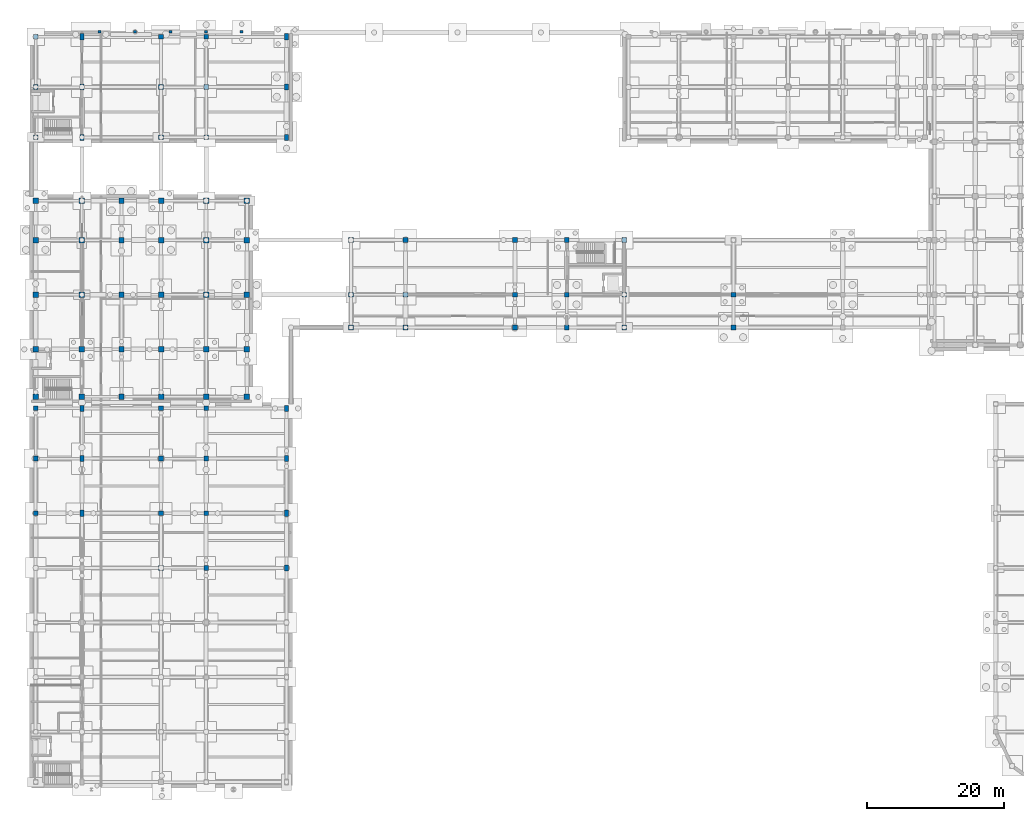
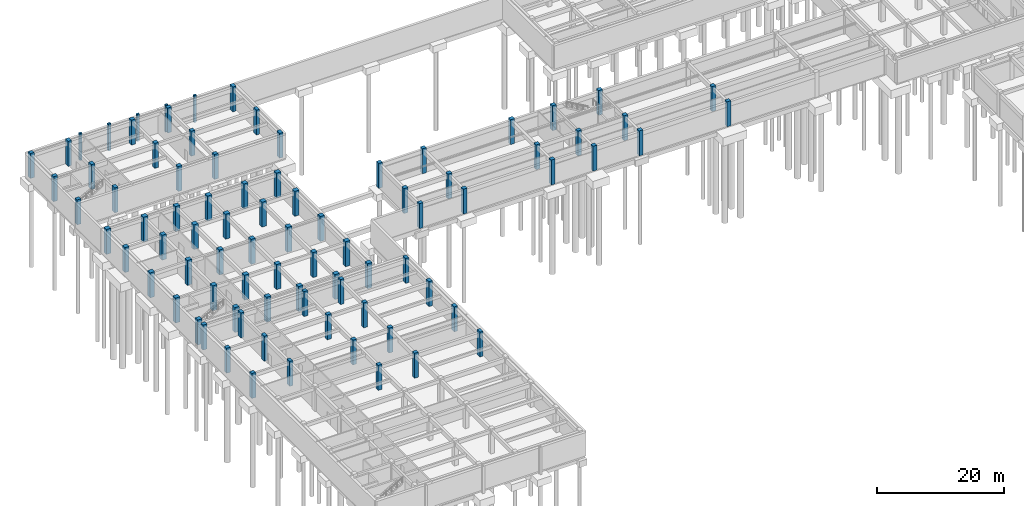
# One storey, part 14 of 35: 85 columns.
"""IFC4 building model written with IfcOpenShell, lengths in metres."""

from ifc_helpers import new_model, si_unit, direction, frame, origin, origin_2d, place, context, subcontext, project, spatial, rectangle, extrude, material, material_profile, profile_set, type_object, element, save


model = new_model("IFC4")

# Units and contexts
model_context = context("Model", 3, precision=1e-05, world=origin(), true_north=direction((0.0, 1.0)))
body_context = subcontext(model_context, "Body", "Model", "MODEL_VIEW")
ifc_project = project(units=[si_unit("LENGTHUNIT", "METRE"), si_unit("AREAUNIT", "SQUARE_METRE"), si_unit("VOLUMEUNIT", "CUBIC_METRE"), si_unit("PLANEANGLEUNIT", "RADIAN"), si_unit("MASSUNIT", "GRAM", prefix="KILO")], contexts=[model_context])

# Site, building, storey
site_placement = place(None, origin())
site = spatial("IfcSite", under=ifc_project, at=site_placement, CompositionType="ELEMENT")
building_placement = place(site_placement, origin())
building = spatial("IfcBuilding", under=site, at=building_placement, Name="Cinchona Park Media Centre", CompositionType="ELEMENT")
storey_placement = place(building_placement, frame((0.0, 0.0, -4.800048828125)))
storey = spatial("IfcBuildingStorey", under=building, at=storey_placement, Name="B1", CompositionType="ELEMENT", Elevation=-4.800048828125)

# Columns
ifc_material_1 = material(Name="Concrete C40/50", Category="concrete")
ifc_material_profile_1 = material_profile(ifc_material_1, rectangle(XDim=0.800048828125, YDim=0.800048828125, at=origin_2d()), Name="RC 800X800")
ifc_profile_set_1 = profile_set([ifc_material_profile_1], Name="Concrete C40/50")
column_type_1 = type_object("IfcColumnType", Name="COL-C01-RC800X800", PredefinedType="COLUMN", material=ifc_profile_set_1)
for number, where, z_axis, x_axis, name in (
    (1, (8.639892578125, 64.639892578125, 0.0), (0.0, 0.0, 1.0), (1.0, 0.0, 0.0), "Column C01 B1"),
    (2, (8.639892578125, 71.60009765625, 0.0), (0.0, 0.0, 1.0), (1.0, 0.0, 0.0), "Column C01 B1"),
    (3, (8.639892578125, 79.60009765625, 0.0), (0.0, 0.0, 1.0), (1.0, 0.0, 0.0), "Column C01 B1"),
    (4, (8.639892578125, 87.60009765625, 0.0), (0.0, 0.0, 1.0), (1.0, 0.0, 0.0), "Column C01 B1"),
    (5, (8.639892578125, 93.360107421875, 0.0), (0.0, 0.0, 1.0), (1.0, 0.0, 0.0), "Column C01 B1"),
    (6, (15.39990234375, 64.639892578125, 0.0), (0.0, 0.0, 1.0), (1.0, 0.0, 0.0), "Column C01 B1"),
    (7, (15.39990234375, 71.60009765625, 0.0), (0.0, 0.0, 1.0), (1.0, 0.0, 0.0), "Column C01 B1"),
    (8, (15.39990234375, 79.60009765625, 0.0), (0.0, 0.0, 1.0), (1.0, 0.0, 0.0), "Column C01 B1"),
    (9, (15.39990234375, 87.60009765625, 0.0), (0.0, 0.0, 1.0), (1.0, 0.0, 0.0), "Column C01 B1"),
    (10, (15.39990234375, 93.360107421875, 0.0), (0.0, 0.0, 1.0), (1.0, 0.0, 0.0), "Column C01 B1"),
    (11, (21.199951171875, 64.639892578125, 0.0), (0.0, 0.0, 1.0), (1.0, 0.0, 0.0), "Column C01 B1"),
    (12, (21.199951171875, 71.60009765625, 0.0), (0.0, 0.0, 1.0), (1.0, 0.0, 0.0), "Column C01 B1"),
    (13, (21.199951171875, 79.60009765625, 0.0), (0.0, 0.0, 1.0), (1.0, 0.0, 0.0), "Column C01 B1"),
    (14, (21.199951171875, 87.60009765625, 0.0), (0.0, 0.0, 1.0), (1.0, 0.0, 0.0), "Column C01 B1"),
    (15, (21.199951171875, 93.360107421875, 0.0), (0.0, 0.0, 1.0), (1.0, 0.0, 0.0), "Column C01 B1"),
    (16, (27.0, 64.639892578125, 0.0), (0.0, 0.0, 1.0), (1.0, 0.0, 0.0), "Column C01 B1"),
    (17, (27.0, 71.60009765625, 0.0), (0.0, 0.0, 1.0), (1.0, 0.0, 0.0), "Column C01 B1"),
    (18, (27.0, 79.60009765625, 0.0), (0.0, 0.0, 1.0), (1.0, 0.0, 0.0), "Column C01 B1"),
    (19, (27.0, 87.60009765625, 0.0), (0.0, 0.0, 1.0), (1.0, 0.0, 0.0), "Column C01 B1"),
    (20, (27.0, 93.360107421875, 0.0), (0.0, 0.0, 1.0), (1.0, 0.0, 0.0), "Column C01 B1"),
    (21, (33.60009765625, 64.639892578125, 0.0), (0.0, 0.0, 1.0), (1.0, 0.0, 0.0), "Column C01 B1"),
    (22, (33.60009765625, 71.60009765625, 0.0), (0.0, 0.0, 1.0), (1.0, 0.0, 0.0), "Column C01 B1"),
    (23, (33.60009765625, 79.60009765625, 0.0), (0.0, 0.0, 1.0), (1.0, 0.0, 0.0), "Column C01 B1"),
    (24, (33.60009765625, 87.60009765625, 0.0), (0.0, 0.0, 1.0), (1.0, 0.0, 0.0), "Column C01 B1"),
    (25, (33.60009765625, 93.360107421875, 0.0), (0.0, 0.0, 1.0), (1.0, 0.0, 0.0), "Column C01 B1"),
    (26, (39.56005859375, 64.639892578125, 0.0), (0.0, 0.0, 1.0), (1.0, 0.0, 0.0), "Column C01 B1"),
    (27, (39.56005859375, 71.60009765625, 0.0), (0.0, 0.0, 1.0), (1.0, 0.0, 0.0), "Column C01 B1"),
    (28, (39.56005859375, 79.60009765625, 0.0), (0.0, 0.0, 1.0), (1.0, 0.0, 0.0), "Column C01 B1"),
    (29, (39.56005859375, 87.60009765625, 0.0), (0.0, 0.0, 1.0), (1.0, 0.0, 0.0), "Column C01 B1"),
    (30, (39.56005859375, 93.360107421875, 0.0), (0.0, 0.0, 1.0), (1.0, 0.0, 0.0), "Column C01 B1"),
):
    element("IfcColumn", number, at=place(storey_placement, frame(where, z_axis=z_axis, x_axis=x_axis)), inside=storey, type_object=column_type_1, Name=name, PredefinedType="COLUMN", context=body_context, shape_type="SweptSolid", body=[
        extrude(rectangle(XDim=0.800048828125, YDim=0.800048828125, at=origin_2d()), origin(), (0.0, 0.0, 1.0), 4.800048828125),
    ])
ifc_material_2 = material(Name="Concrete C40/50", Category="concrete")
ifc_material_profile_2 = material_profile(ifc_material_2, rectangle(XDim=0.699951171875, YDim=0.699951171875, at=origin_2d()), Name="RC 700X700")
ifc_profile_set_2 = profile_set([ifc_material_profile_2], Name="Concrete C40/50")
column_type_2 = type_object("IfcColumnType", Name="COL-C02-RC700X700", PredefinedType="COLUMN", material=ifc_profile_set_2)
for number, where, z_axis, x_axis, name in (
    (31, (8.639892578125, 47.60009765625, 0.0), (0.0, 0.0, 1.0), (1.0, 0.0, 0.0), "Column C02 B1"),
    (32, (8.639892578125, 55.60009765625, 0.0), (0.0, 0.0, 1.0), (1.0, 0.0, 0.0), "Column C02 B1"),
    (33, (8.639892578125, 62.9599609375, 0.0), (0.0, 0.0, 1.0), (1.0, 0.0, 0.0), "Column C02 B1"),
    (34, (27.0, 39.60009765625, 0.0), (0.0, 0.0, 1.0), (1.0, 0.0, 0.0), "Column C02 B1"),
    (35, (27.0, 47.60009765625, 0.0), (0.0, 0.0, 1.0), (1.0, 0.0, 0.0), "Column C02 B1"),
    (36, (27.0, 55.60009765625, 0.0), (0.0, 0.0, 1.0), (1.0, 0.0, 0.0), "Column C02 B1"),
    (37, (27.0, 62.9599609375, 0.0), (0.0, 0.0, 1.0), (1.0, 0.0, 0.0), "Column C02 B1"),
    (38, (33.60009765625, 39.60009765625, 0.0), (0.0, 0.0, 1.0), (1.0, 0.0, 0.0), "Column C02 B1"),
    (39, (33.60009765625, 47.60009765625, 0.0), (0.0, 0.0, 1.0), (1.0, 0.0, 0.0), "Column C02 B1"),
    (40, (33.60009765625, 55.60009765625, 0.0), (0.0, 0.0, 1.0), (1.0, 0.0, 0.0), "Column C02 B1"),
    (41, (33.60009765625, 62.9599609375, 0.0), (0.0, 0.0, 1.0), (1.0, 0.0, 0.0), "Column C02 B1"),
    (42, (8.639892578125, 102.639892578125, 0.0), (0.0, 0.0, 1.0), (1.0, 0.0, 0.0), "Column C02 B1"),
    (43, (8.639892578125, 110.0, 0.0), (0.0, 0.0, 1.0), (1.0, 0.0, 0.0), "Column C02 B1"),
    (44, (8.639892578125, 117.360107421875, 0.0), (0.0, 0.0, 1.0), (1.0, 0.0, 0.0), "Column C02 B1"),
    (45, (27.0, 102.639892578125, 0.0), (0.0, 0.0, 1.0), (1.0, 0.0, 0.0), "Column C02 B1"),
    (46, (27.0, 110.0, 0.0), (0.0, 0.0, 1.0), (1.0, 0.0, 0.0), "Column C02 B1"),
    (47, (27.0, 117.360107421875, 0.0), (0.0, 0.0, 1.0), (1.0, 0.0, 0.0), "Column C02 B1"),
    (48, (33.60009765625, 102.639892578125, 0.0), (0.0, 0.0, 1.0), (1.0, 0.0, 0.0), "Column C02 B1"),
    (49, (33.60009765625, 110.0, 0.0), (0.0, 0.0, 1.0), (1.0, 0.0, 0.0), "Column C02 B1"),
    (50, (33.60009765625, 117.360107421875, 0.0), (0.0, 0.0, 1.0), (1.0, 0.0, 0.0), "Column C02 B1"),
    (51, (54.800048828125, 74.800048828125, 0.0), (0.0, 0.0, 1.0), (1.0, 0.0, 0.0), "Column C02 B1"),
    (52, (54.800048828125, 79.60009765625, 0.0), (0.0, 0.0, 1.0), (1.0, 0.0, 0.0), "Column C02 B1"),
    (53, (54.800048828125, 87.60009765625, 0.0), (0.0, 0.0, 1.0), (1.0, 0.0, 0.0), "Column C02 B1"),
    (54, (62.800048828125, 74.800048828125, 0.0), (0.0, 0.0, 1.0), (1.0, 0.0, 0.0), "Column C02 B1"),
    (55, (62.800048828125, 79.60009765625, 0.0), (0.0, 0.0, 1.0), (1.0, 0.0, 0.0), "Column C02 B1"),
    (56, (62.800048828125, 87.60009765625, 0.0), (0.0, 0.0, 1.0), (1.0, 0.0, 0.0), "Column C02 B1"),
    (57, (78.800048828125, 74.800048828125, 0.0), (0.0, 0.0, 1.0), (1.0, 0.0, 0.0), "Column C02 B1"),
    (58, (78.800048828125, 79.60009765625, 0.0), (0.0, 0.0, 1.0), (1.0, 0.0, 0.0), "Column C02 B1"),
    (59, (78.800048828125, 87.60009765625, 0.0), (0.0, 0.0, 1.0), (1.0, 0.0, 0.0), "Column C02 B1"),
    (60, (86.39990234375, 74.800048828125, 0.0), (0.0, 0.0, 1.0), (1.0, 0.0, 0.0), "Column C02 B1"),
    (61, (86.39990234375, 79.60009765625, 0.0), (0.0, 0.0, 1.0), (1.0, 0.0, 0.0), "Column C02 B1"),
    (62, (86.39990234375, 87.60009765625, 0.0), (0.0, 0.0, 1.0), (1.0, 0.0, 0.0), "Column C02 B1"),
    (63, (94.800048828125, 74.800048828125, 0.0), (0.0, 0.0, 1.0), (1.0, 0.0, 0.0), "Column C02 B1"),
    (64, (94.800048828125, 79.60009765625, 0.0), (0.0, 0.0, 1.0), (1.0, 0.0, 0.0), "Column C02 B1"),
    (65, (94.800048828125, 87.60009765625, 0.0), (0.0, 0.0, 1.0), (1.0, 0.0, 0.0), "Column C02 B1"),
    (66, (110.800048828125, 74.800048828125, 0.0), (0.0, 0.0, 1.0), (1.0, 0.0, 0.0), "Column C02 B1"),
    (67, (110.800048828125, 79.60009765625, 0.0), (0.0, 0.0, 1.0), (1.0, 0.0, 0.0), "Column C02 B1"),
):
    element("IfcColumn", number, at=place(storey_placement, frame(where, z_axis=z_axis, x_axis=x_axis)), inside=storey, type_object=column_type_2, Name=name, PredefinedType="COLUMN", context=body_context, shape_type="SweptSolid", body=[
        extrude(rectangle(XDim=0.699951171875, YDim=0.699951171875, at=origin_2d()), origin(), (0.0, 0.0, 1.0), 4.800048828125),
    ])
ifc_material_3 = material(Name="Concrete C40/50", Category="concrete")
ifc_material_profile_3 = material_profile(ifc_material_3, rectangle(XDim=0.60009765625, YDim=0.89990234375, at=origin_2d()), Name="RC 600X900")
ifc_profile_set_3 = profile_set([ifc_material_profile_3], Name="Concrete C40/50")
column_type_3 = type_object("IfcColumnType", Name="COL-C05-RC600X900", PredefinedType="COLUMN", material=ifc_profile_set_3)
for number, where, z_axis, x_axis, name in (
    (68, (15.39990234375, 47.60009765625, 0.0), (0.0, 0.0, 1.0), (1.0, 0.0, 0.0), "Column C05 B1"),
    (69, (15.39990234375, 55.60009765625, 0.0), (0.0, 0.0, 1.0), (1.0, 0.0, 0.0), "Column C05 B1"),
    (70, (15.39990234375, 62.9599609375, 0.0), (0.0, 0.0, 1.0), (1.0, 0.0, 0.0), "Column C05 B1"),
    (71, (45.360107421875, 39.60009765625, 0.0), (0.0, 0.0, 1.0), (1.0, 0.0, 0.0), "Column C05 B1"),
    (72, (45.360107421875, 47.60009765625, 0.0), (0.0, 0.0, 1.0), (1.0, 0.0, 0.0), "Column C05 B1"),
    (73, (45.360107421875, 55.60009765625, 0.0), (0.0, 0.0, 1.0), (1.0, 0.0, 0.0), "Column C05 B1"),
    (74, (45.360107421875, 62.9599609375, 0.0), (0.0, 0.0, 1.0), (1.0, 0.0, 0.0), "Column C05 B1"),
    (75, (15.39990234375, 102.639892578125, 0.0), (0.0, 0.0, 1.0), (1.0, 0.0, 0.0), "Column C05 B1"),
    (76, (15.39990234375, 110.0, 0.0), (0.0, 0.0, 1.0), (1.0, 0.0, 0.0), "Column C05 B1"),
    (77, (15.39990234375, 117.360107421875, 0.0), (0.0, 0.0, 1.0), (1.0, 0.0, 0.0), "Column C05 B1"),
    (78, (45.360107421875, 102.639892578125, 0.0), (0.0, 0.0, 1.0), (1.0, 0.0, 0.0), "Column C05 B1"),
    (79, (45.360107421875, 110.0, 0.0), (0.0, 0.0, 1.0), (1.0, 0.0, 0.0), "Column C05 B1"),
    (80, (45.360107421875, 117.360107421875, 0.0), (0.0, 0.0, 1.0), (1.0, 0.0, 0.0), "Column C05 B1"),
):
    element("IfcColumn", number, at=place(storey_placement, frame(where, z_axis=z_axis, x_axis=x_axis)), inside=storey, type_object=column_type_3, Name=name, PredefinedType="COLUMN", context=body_context, shape_type="SweptSolid", body=[
        extrude(rectangle(XDim=0.60009765625, YDim=0.89990234375, at=origin_2d()), origin(), (0.0, 0.0, 1.0), 4.800048828125),
    ])
ifc_material_4 = material(Name="Concrete C40/50", Category="concrete")
ifc_material_profile_4 = material_profile(ifc_material_4, rectangle(XDim=0.35009765625, YDim=0.449951171875, at=origin_2d()), Name="RC 350X450")
ifc_profile_set_4 = profile_set([ifc_material_profile_4], Name="Concrete C40/50")
column_type_4 = type_object("IfcColumnType", Name="COL-CP01-RC350X450", PredefinedType="PILASTER", material=ifc_profile_set_4)
for number, where, z_axis, x_axis, name in (
    (81, (18.0, 118.080078125, -0.425048828125), (0.0, 0.0, 1.0), (0.0, 1.0, 0.0), "Pilaster CP01 B1"),
    (82, (23.199951171875, 118.080078125, -0.425048828125), (0.0, 0.0, 1.0), (0.0, 1.0, 0.0), "Pilaster CP01 B1"),
    (83, (28.39990234375, 118.080078125, -0.425048828125), (0.0, 0.0, 1.0), (0.0, 1.0, 0.0), "Pilaster CP01 B1"),
    (84, (33.60009765625, 118.080078125, -0.425048828125), (0.0, 0.0, 1.0), (0.0, 1.0, 0.0), "Pilaster CP01 B1"),
    (85, (38.800048828125, 118.080078125, -0.425048828125), (0.0, 0.0, 1.0), (0.0, 1.0, 0.0), "Pilaster CP01 B1"),
):
    element("IfcColumn", number, at=place(storey_placement, frame(where, z_axis=z_axis, x_axis=x_axis)), inside=storey, type_object=column_type_4, Name=name, PredefinedType="PILASTER", context=body_context, shape_type="SweptSolid", body=[
        extrude(rectangle(XDim=0.35009765625, YDim=0.449951171875, at=origin_2d()), origin(), (0.0, 0.0, 1.0), 5.22509765625),
    ])

save(model, "model.ifc")
